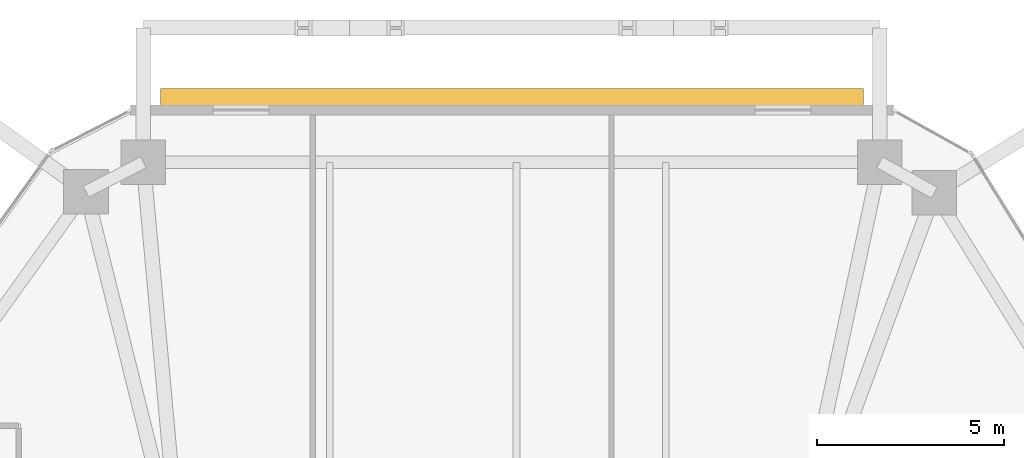
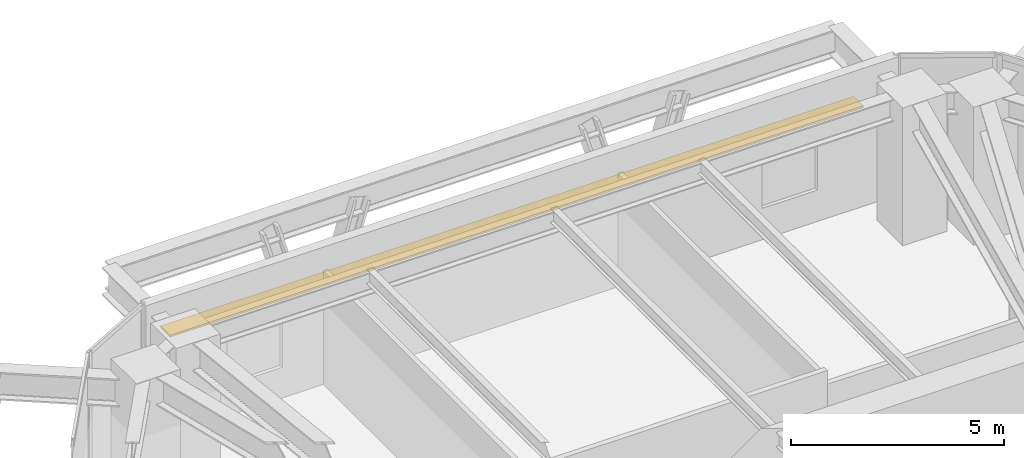
# One storey, part 14 of 14: 1 shading device.
"""IFC4 building model written with IfcOpenShell, lengths in metres."""

from ifc_helpers import new_model, si_unit, direction, frame, origin, origin_2d, place, context, subcontext, project, spatial, rectangle, extrude, source, transform, mapped, material, layer, layer_set, type_object, type_shapes, element, save


model = new_model("IFC4")

# Units and contexts
model_context = context("Model", 3, precision=1e-05, world=origin(), true_north=direction((0.0, 1.0)))
body_context = subcontext(model_context, "Body", "Model", "MODEL_VIEW")
ifc_project = project(units=[si_unit("LENGTHUNIT", "METRE"), si_unit("AREAUNIT", "SQUARE_METRE"), si_unit("VOLUMEUNIT", "CUBIC_METRE"), si_unit("PLANEANGLEUNIT", "RADIAN"), si_unit("MASSUNIT", "GRAM", prefix="KILO")], contexts=[model_context])

# Site, building, storey
site_placement = place(None, origin())
site = spatial("IfcSite", under=ifc_project, at=site_placement, CompositionType="ELEMENT")
building_placement = place(site_placement, origin())
building = spatial("IfcBuilding", under=site, at=building_placement, Name="Durnholm Broadcast Tower", CompositionType="ELEMENT")
storey_placement = place(building_placement, frame((0.0, 0.0, 93.300048828125)))
storey = spatial("IfcBuildingStorey", under=building, at=storey_placement, Name="L24", CompositionType="ELEMENT", Elevation=93.300048828125)

# Shading device
ifc_material = material(Name="Extruded Aluminium Sunshade Fin", Category="aluminium")
ifc_layer = layer(ifc_material, 0.06005859375)
ifc_layer_set = layer_set([ifc_layer], Name="Extruded Aluminium Sunshade Fin")
shading_device_type = type_object("IfcShadingDeviceType", Name="SHD-SUN-BLADE", PredefinedType="JALOUSIE", material=ifc_layer_set)
shared_shape = source(origin(), body_context, "Body", "SweptSolid", [
    extrude(rectangle(XDim=18.829345703125, YDim=0.449951171875, at=origin_2d()), origin(), (0.0, 0.0, 1.0), 0.06005859375),
])
type_shapes(shading_device_type, [shared_shape])
shading_device_placement = place(storey_placement, frame((2.37841796875, 20.965087890625, 2.619873046875), z_axis=(0.0, 0.0, 1.0), x_axis=(1.0, 0.0, 0.0)))
element("IfcShadingDevice", 1, at=shading_device_placement, inside=storey, type_object=shading_device_type, Name="L24 north solar shading fin", PredefinedType="JALOUSIE", context=body_context, shape_type="MappedRepresentation", body=[
    mapped(shared_shape, transform((0.0, 0.0, 0.0), x_axis=(1.0, 0.0, 0.0), y_axis=(0.0, 1.0, 0.0), z_axis=(0.0, 0.0, 1.0), scale=1.0)),
])

save(model, "model.ifc")
